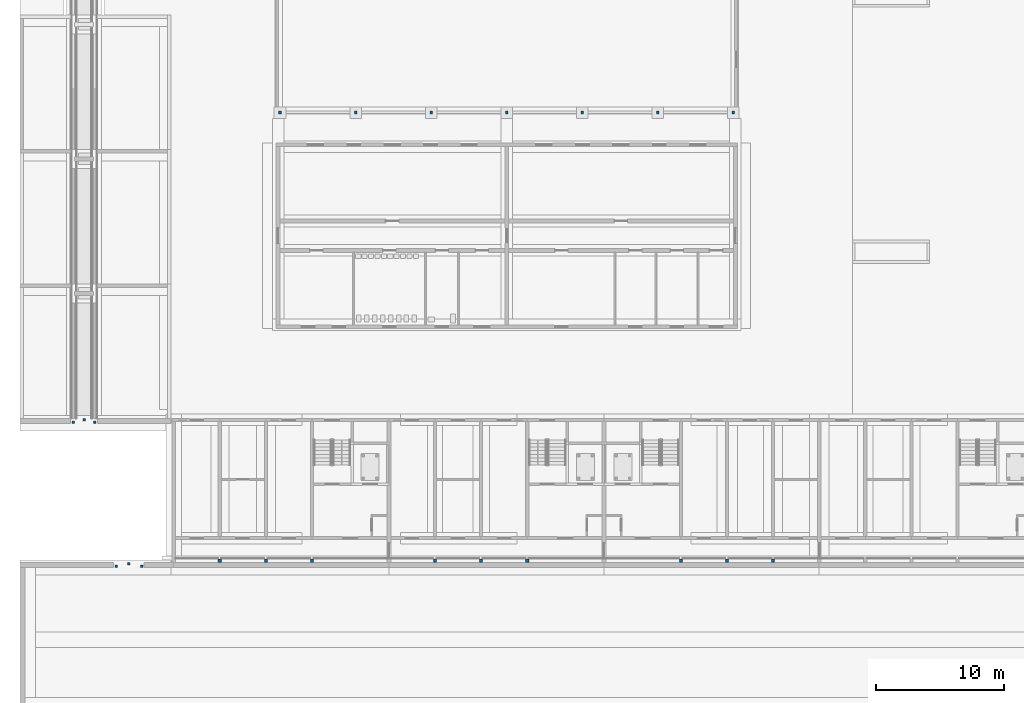
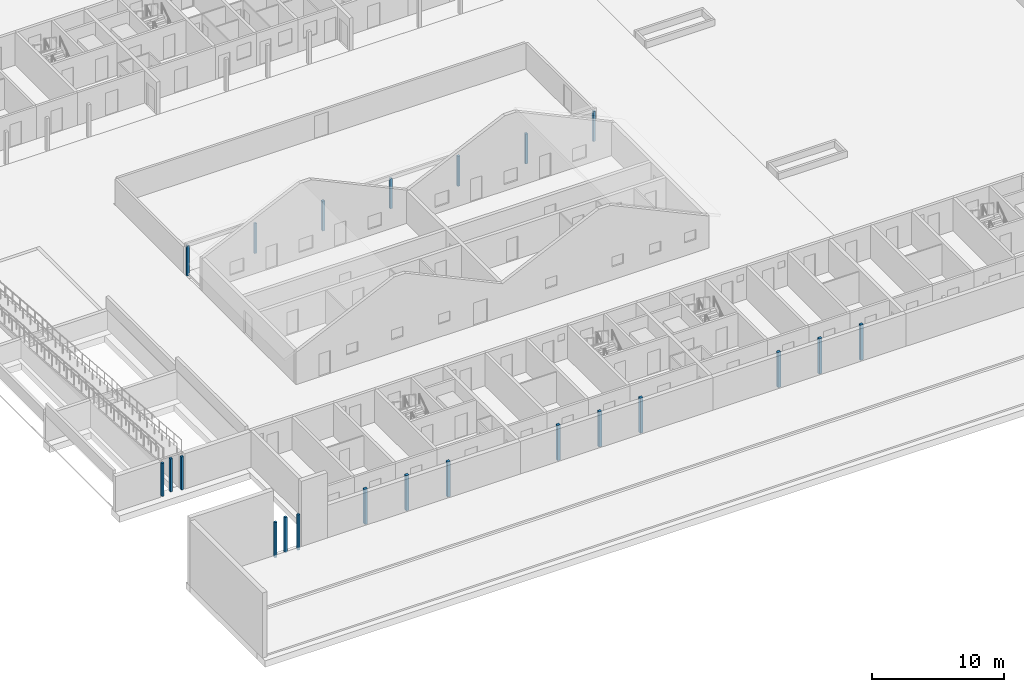
# One storey, part 7 of 112: 22 columns.
"""IFC4 building model written with IfcOpenShell, lengths in metres."""

import ifcopenshell
import ifcopenshell.guid

model = None  # the IFC model being written
_history = None  # IfcOwnerHistory: only IFC2X3 demands one
_inside = {}  # id of a spatial element -> (the spatial element, [elements in it])
_under = {}  # id of a project, library or spatial element -> (it, [spatial elements below it])
_declared = {}  # id of a project -> (the project, [libraries it declares])
_typed = {}  # id of a type object -> (the type object, [elements of that type])
_made_of = {}  # id of a material, layer set ... -> (it, [elements and type objects made of it])


def new_model(schema):
    """Start an empty IFC model of exactly this schema.

    Asked for "IFC4X3", IfcOpenShell would pick the latest addendum, in which some entities
    have other attributes; the version numbers below select the first issue.
    IFC2X3 requires an IfcOwnerHistory on every rooted entity: one is made here for all.
    """
    global model, _history
    if schema == "IFC4X3":
        model = ifcopenshell.file(schema_version=(4, 3, 0, 0))
    else:
        model = ifcopenshell.file(schema=schema)
    _inside.clear()
    _under.clear()
    _declared.clear()
    _typed.clear()
    _made_of.clear()
    _history = None
    if model.schema == "IFC2X3":
        org = make("IfcOrganization", Name="unknown")
        user = make(
            "IfcPersonAndOrganization",
            ThePerson=make("IfcPerson", FamilyName="unknown"),
            TheOrganization=org,
        )
        app = make(
            "IfcApplication",
            ApplicationDeveloper=org,
            Version="unknown",
            ApplicationFullName="unknown",
            ApplicationIdentifier="unknown",
        )
        _history = make(
            "IfcOwnerHistory",
            OwningUser=user,
            OwningApplication=app,
            ChangeAction="ADDED",
            CreationDate=0,
        )
    return model


def make(cls, **values):
    """One entity of the class cls with the attributes given. An attribute that is None is left unset."""
    return model.create_entity(
        cls, **{name: value for name, value in values.items() if value is not None}
    )


def rooted(cls, **values):
    """An entity with a GlobalId (a new one), such as an element, a storey or a relation."""
    return make(cls, GlobalId=ifcopenshell.guid.new(), OwnerHistory=_history, **values)


def si_unit(unit_type, name, prefix=None):
    """IfcSIUnit, for example si_unit("LENGTHUNIT", "METRE", prefix="MILLI")."""
    return make("IfcSIUnit", UnitType=unit_type, Prefix=prefix, Name=name)


def assignment(units):
    """IfcUnitAssignment: the units of a project."""
    return None if units is None else make("IfcUnitAssignment", Units=units)


def point(xyz):
    """IfcCartesianPoint."""
    return None if xyz is None else make("IfcCartesianPoint", Coordinates=xyz)


def direction(xyz):
    """IfcDirection."""
    return None if xyz is None else make("IfcDirection", DirectionRatios=xyz)


def frame(location, z_axis=None, x_axis=None):
    """IfcAxis2Placement3D, a coordinate frame: its origin and axes. An axis left out is left unset."""
    return make(
        "IfcAxis2Placement3D",
        Location=point(location),
        Axis=direction(z_axis),
        RefDirection=direction(x_axis),
    )


def frame_2d(location, x_axis=None):
    """IfcAxis2Placement2D, a coordinate frame in the plane: its origin and x axis."""
    return make(
        "IfcAxis2Placement2D", Location=point(location), RefDirection=direction(x_axis)
    )


def origin():
    """The frame at (0, 0, 0) with its axes left unset."""
    return frame((0.0, 0.0, 0.0))


def origin_2d():
    """The frame at (0, 0) in the plane with its x axis left unset."""
    return frame_2d((0.0, 0.0))


def place(relative_to, where):
    """IfcLocalPlacement: puts the frame where relative to a parent placement (None: the world)."""
    return make(
        "IfcLocalPlacement", PlacementRelTo=relative_to, RelativePlacement=where
    )


def context(
    kind, dimensions, precision=None, world=None, true_north=None, identifier=None
):
    """IfcGeometricRepresentationContext, for example the 3D "Model" context."""
    return make(
        "IfcGeometricRepresentationContext",
        ContextIdentifier=identifier,
        ContextType=kind,
        CoordinateSpaceDimension=dimensions,
        Precision=precision,
        WorldCoordinateSystem=world,
        TrueNorth=true_north,
    )


def subcontext(parent, identifier, kind, view, scale=None):
    """IfcGeometricRepresentationSubContext, for example "Body" below "Model"."""
    return make(
        "IfcGeometricRepresentationSubContext",
        ContextIdentifier=identifier,
        ContextType=kind,
        ParentContext=parent,
        TargetScale=scale,
        TargetView=view,
    )


def project(units=None, contexts=None):
    """IfcProject with its units and contexts."""
    return rooted(
        "IfcProject",
        Name="project",
        RepresentationContexts=contexts,
        UnitsInContext=assignment(units),
    )


def spatial(cls, under=None, at=None, **own):
    """A site, building, storey or space (cls), placed at a placement, below another one or the project."""
    s = rooted(cls, ObjectPlacement=at, **own)
    if under is not None:
        _under.setdefault(under.id(), (under, []))[1].append(s)
    return s


def profile(cls, at=None, kind="AREA", **sizes):
    """A parametric profile (cls). Its sizes go by their IFC names, for example OverallWidth=200.0."""
    return make(cls, ProfileType=kind, Position=at, **sizes)


def rectangle(**sizes):
    """IfcRectangleProfileDef."""
    return profile("IfcRectangleProfileDef", **sizes)


def extrude(swept, where, along, depth):
    """IfcExtrudedAreaSolid: the profile swept, set in the frame where, extruded along a direction by depth."""
    return make(
        "IfcExtrudedAreaSolid",
        SweptArea=swept,
        Position=where,
        ExtrudedDirection=direction(along),
        Depth=depth,
    )


def shape(context_of_items, identifier, shape_type, items):
    """IfcShapeRepresentation: the items that make up one representation, for example the "Body"."""
    return make(
        "IfcShapeRepresentation",
        ContextOfItems=context_of_items,
        RepresentationIdentifier=identifier,
        RepresentationType=shape_type,
        Items=items,
    )


def material(Name=None, Category=None):
    """IfcMaterial."""
    return make("IfcMaterial", Name=Name, Category=Category)


def material_profile(
    of_material, cross_section, Name=None, Category=None, Priority=None
):
    """IfcMaterialProfile: a cross section and its material."""
    return make(
        "IfcMaterialProfile",
        Name=Name,
        Material=of_material,
        Profile=cross_section,
        Priority=Priority,
        Category=Category,
    )


def profile_set(profiles, Name=None, composite=None):
    """IfcMaterialProfileSet."""
    return make(
        "IfcMaterialProfileSet",
        Name=Name,
        MaterialProfiles=profiles,
        CompositeProfile=composite,
    )


def made_of(thing, what):
    """Note that an element or type object is made of a material, layer set ...; save() writes the relation."""
    if what is not None:
        _made_of.setdefault(what.id(), (what, []))[1].append(thing)
    return thing


def type_object(cls, material=None, **own):
    """A type object (cls), such as IfcWallType, which elements share."""
    return made_of(rooted(cls, **own), material)


def element(
    cls,
    number,
    at=None,
    inside=None,
    cuts=None,
    type_object=None,
    material=None,
    context=None,
    identifier="Body",
    shape_type=None,
    held_by="IfcProductDefinitionShape",
    body=None,
    shapes=None,
    **own,
):
    """One element of the class cls, such as IfcWall. Its Tag is "e" and its number.

    at: its placement. inside: the storey or other place that contains it. cuts: it is an
    opening in that element (IfcRelVoidsElement). A single representation is given by context,
    identifier, shape_type and body (its items); several are given by shapes. held_by: the class
    of the entity that holds the representations. save() writes the other relations.
    """
    e = rooted(cls, Tag="e%d" % number, ObjectPlacement=at, **own)
    if body is not None:
        shapes = [shape(context, identifier, shape_type, body)]
    if shapes is not None:
        e.Representation = make(held_by, Representations=shapes)
    if inside is not None:
        _inside.setdefault(inside.id(), (inside, []))[1].append(e)
    if cuts is not None:
        rooted(
            "IfcRelVoidsElement", RelatingBuildingElement=cuts, RelatedOpeningElement=e
        )
    if type_object is not None:
        _typed.setdefault(type_object.id(), (type_object, []))[1].append(e)
    return made_of(e, material)


def aggregate(whole, parts):
    """IfcRelAggregates: a whole, such as a stair, and the parts it consists of."""
    return rooted("IfcRelAggregates", RelatingObject=whole, RelatedObjects=parts)


def save(model, path):
    """Write the relations noted so far, then the file.

    IfcRelAggregates (storeys below a building ...), IfcRelContainedInSpatialStructure (elements
    in a storey), IfcRelDefinesByType, IfcRelAssociatesMaterial and IfcRelDeclares: one each for
    every whole, place, type object, material and project.
    """
    for whole, parts in _under.values():
        aggregate(whole, parts)
    for where, things in _inside.values():
        rooted(
            "IfcRelContainedInSpatialStructure",
            RelatedElements=things,
            RelatingStructure=where,
        )
    for kind, things in _typed.values():
        rooted("IfcRelDefinesByType", RelatedObjects=things, RelatingType=kind)
    for what, things in _made_of.values():
        rooted("IfcRelAssociatesMaterial", RelatedObjects=things, RelatingMaterial=what)
    for by, libraries in _declared.values():
        rooted("IfcRelDeclares", RelatingContext=by, RelatedDefinitions=libraries)
    model.write(path)


model = new_model("IFC4")

# Units and contexts
model_context = context("Model", 3, precision=1e-05, world=origin(), true_north=direction((0.0, 1.0)))
body_context = subcontext(model_context, "Body", "Model", "MODEL_VIEW")
ifc_project = project(units=[si_unit("LENGTHUNIT", "METRE"), si_unit("AREAUNIT", "SQUARE_METRE"), si_unit("VOLUMEUNIT", "CUBIC_METRE"), si_unit("PLANEANGLEUNIT", "RADIAN"), si_unit("MASSUNIT", "GRAM", prefix="KILO")], contexts=[model_context])

# Site, building, storey
site_placement = place(None, origin())
site = spatial("IfcSite", under=ifc_project, at=site_placement, CompositionType="ELEMENT")
building_placement = place(site_placement, origin())
building = spatial("IfcBuilding", under=site, at=building_placement, Name="Ridgestep Commons", CompositionType="ELEMENT")
storey_placement = place(building_placement, origin())
storey = spatial("IfcBuildingStorey", under=building, at=storey_placement, Name="L00", CompositionType="ELEMENT", Elevation=0.0)

# Columns
ifc_material_1 = material(Name="Precast concrete C40/50", Category="concrete")
ifc_material_profile_1 = material_profile(ifc_material_1, rectangle(XDim=0.199951171875, YDim=0.199951171875, at=origin_2d()), Name="Community landing post 200")
ifc_profile_set_1 = profile_set([ifc_material_profile_1], Name="Precast concrete C40/50")
column_type_1 = type_object("IfcColumnType", Name="Community landing post 200", PredefinedType="COLUMN", material=ifc_profile_set_1)
for number, where, z_axis, x_axis, name in (
    (1, (4.14990234375, 22.699951171875, -0.25), (0.0, 0.0, 1.0), (1.0, 0.0, 0.0), "Landing post"),
    (2, (5.85009765625, 22.699951171875, -0.25), (0.0, 0.0, 1.0), (1.0, 0.0, 0.0), "Landing post"),
    (3, (5.0, 22.89990234375, -0.25), (0.0, 0.0, 1.0), (1.0, 0.0, 0.0), "Landing post"),
):
    element("IfcColumn", number, at=place(storey_placement, frame(where, z_axis=z_axis, x_axis=x_axis)), inside=storey, type_object=column_type_1, Name=name, PredefinedType="COLUMN", context=body_context, shape_type="SweptSolid", body=[
        extrude(rectangle(XDim=0.199951171875, YDim=0.199951171875, at=origin_2d()), origin(), (0.0, 0.0, 1.0), 3.050048828125),
    ])
for number, where, z_axis, x_axis, name in (
    (4, (7.5, 11.449951171875, -0.25), (0.0, 0.0, 1.0), (1.0, 0.0, 0.0), "Landing post"),
    (5, (9.5, 11.449951171875, -0.25), (0.0, 0.0, 1.0), (1.0, 0.0, 0.0), "Landing post"),
    (6, (8.5, 11.64990234375, -0.25), (0.0, 0.0, 1.0), (1.0, 0.0, 0.0), "Landing post"),
):
    element("IfcColumn", number, at=place(storey_placement, frame(where, z_axis=z_axis, x_axis=x_axis)), inside=storey, type_object=column_type_1, Name=name, PredefinedType="COLUMN", context=body_context, shape_type="SweptSolid", body=[
        extrude(rectangle(XDim=0.199951171875, YDim=0.199951171875, at=origin_2d()), origin(), (0.0, 0.0, 1.0), 3.25),
    ])
ifc_material_2 = material(Name="Precast concrete C40/50", Category="concrete")
ifc_material_profile_2 = material_profile(ifc_material_2, rectangle(XDim=0.25, YDim=0.25, at=origin_2d()), Name="PC 250x250")
ifc_profile_set_2 = profile_set([ifc_material_profile_2], Name="Precast concrete C40/50")
column_type_2 = type_object("IfcColumnType", Name="Loggia column 250 x 250", PredefinedType="COLUMN", material=ifc_profile_set_2)
for number, where, z_axis, x_axis, name in (
    (7, (15.60009765625, 11.875, -0.25), (0.0, 0.0, 1.0), (1.0, 0.0, 0.0), "Loggia column A L00"),
    (8, (19.199951171875, 11.875, -0.25), (0.0, 0.0, 1.0), (1.0, 0.0, 0.0), "Loggia column A L00"),
    (9, (22.800048828125, 11.875, -0.25), (0.0, 0.0, 1.0), (1.0, 0.0, 0.0), "Loggia column A L00"),
    (10, (32.39990234375, 11.875, -0.25), (0.0, 0.0, 1.0), (1.0, 0.0, 0.0), "Loggia column A L00"),
    (11, (36.0, 11.875, -0.25), (0.0, 0.0, 1.0), (1.0, 0.0, 0.0), "Loggia column A L00"),
    (12, (39.60009765625, 11.875, -0.25), (0.0, 0.0, 1.0), (1.0, 0.0, 0.0), "Loggia column A L00"),
    (13, (51.60009765625, 11.875, -0.25), (0.0, 0.0, 1.0), (1.0, 0.0, 0.0), "Loggia column A L00"),
    (14, (55.199951171875, 11.875, -0.25), (0.0, 0.0, 1.0), (1.0, 0.0, 0.0), "Loggia column A L00"),
    (15, (58.800048828125, 11.875, -0.25), (0.0, 0.0, 1.0), (1.0, 0.0, 0.0), "Loggia column A L00"),
):
    element("IfcColumn", number, at=place(storey_placement, frame(where, z_axis=z_axis, x_axis=x_axis)), inside=storey, type_object=column_type_2, Name=name, PredefinedType="COLUMN", context=body_context, shape_type="SweptSolid", body=[
        extrude(rectangle(XDim=0.25, YDim=0.25, at=origin_2d()), origin(), (0.0, 0.0, 1.0), 3.25),
    ])
ifc_material_3 = material(Name="Precast concrete C40/50", Category="concrete")
ifc_material_profile_3 = material_profile(ifc_material_3, rectangle(XDim=0.199951171875, YDim=0.199951171875, at=origin_2d()), Name="Verandah post 200 x 200")
ifc_profile_set_3 = profile_set([ifc_material_profile_3], Name="Precast concrete C40/50")
column_type_3 = type_object("IfcColumnType", Name="Verandah post 200 x 200", PredefinedType="COLUMN", material=ifc_profile_set_3)
for number, where, z_axis, x_axis, name in (
    (16, (20.300048828125, 46.8701171875, -0.25), (0.0, 0.0, 1.0), (1.0, 0.0, 0.0), "Verandah post"),
    (17, (26.199951171875, 46.8701171875, -0.25), (0.0, 0.0, 1.0), (1.0, 0.0, 0.0), "Verandah post"),
    (18, (32.10009765625, 46.8701171875, -0.25), (0.0, 0.0, 1.0), (1.0, 0.0, 0.0), "Verandah post"),
    (19, (38.0, 46.8701171875, -0.25), (0.0, 0.0, 1.0), (1.0, 0.0, 0.0), "Verandah post"),
    (20, (43.89990234375, 46.8701171875, -0.25), (0.0, 0.0, 1.0), (1.0, 0.0, 0.0), "Verandah post"),
    (21, (49.800048828125, 46.8701171875, -0.25), (0.0, 0.0, 1.0), (1.0, 0.0, 0.0), "Verandah post"),
    (22, (55.699951171875, 46.8701171875, -0.25), (0.0, 0.0, 1.0), (1.0, 0.0, 0.0), "Verandah post"),
):
    element("IfcColumn", number, at=place(storey_placement, frame(where, z_axis=z_axis, x_axis=x_axis)), inside=storey, type_object=column_type_3, Name=name, PredefinedType="COLUMN", context=body_context, shape_type="SweptSolid", body=[
        extrude(rectangle(XDim=0.199951171875, YDim=0.199951171875, at=origin_2d()), origin(), (0.0, 0.0, 1.0), 2.766845703125),
    ])

save(model, "model.ifc")
